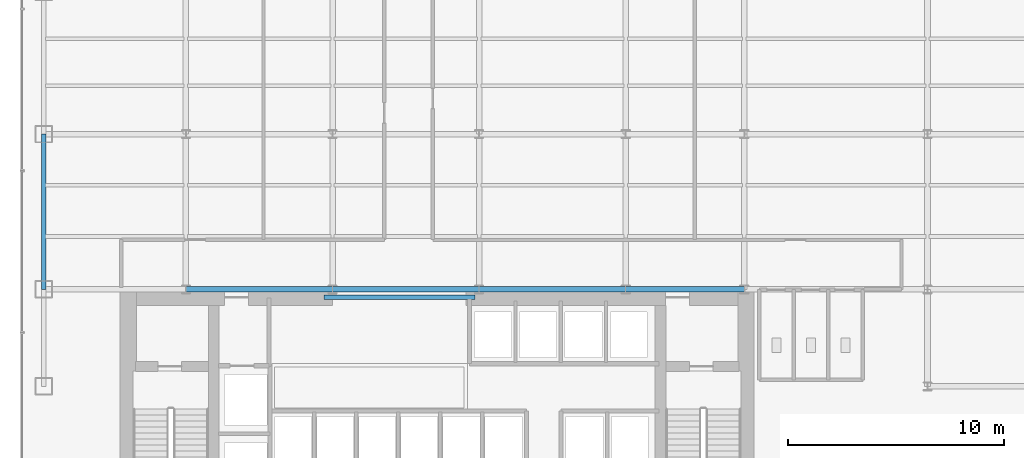
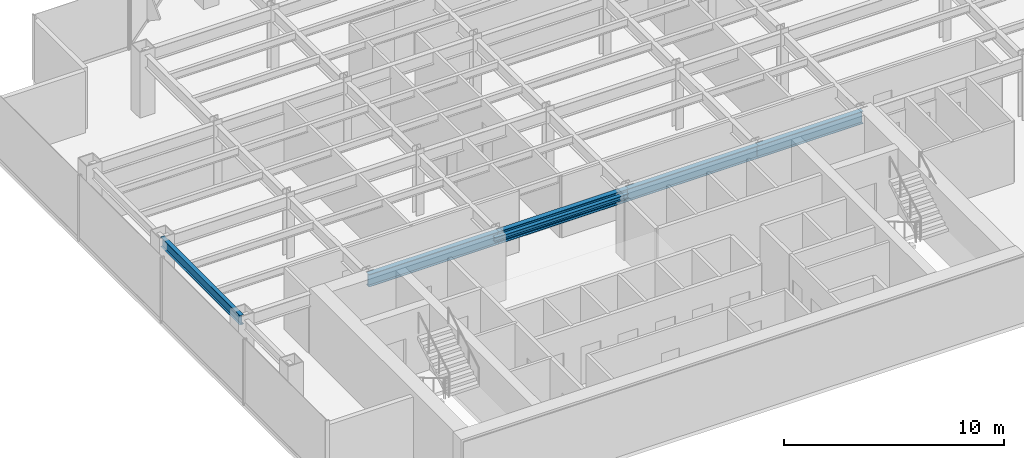
# One storey, part 3 of 26: 6 beams.
"""IFC4 building model written with IfcOpenShell, lengths in metres."""

from ifc_helpers import new_model, si_unit, derived_unit, direction, frame, origin, origin_2d, place, context, subcontext, project, spatial, i_section, extrude, source, transform, mapped, material, material_profile, profile_set, type_object, element, save


model = new_model("IFC4")

# Units and contexts
model_context = context("Model", 3, precision=1e-05, world=origin(), true_north=direction((0.0, 1.0)))
body_context = subcontext(model_context, "Body", "Model", "MODEL_VIEW")
ifc_project = project(units=[si_unit("LENGTHUNIT", "METRE"), si_unit("AREAUNIT", "SQUARE_METRE"), si_unit("VOLUMEUNIT", "CUBIC_METRE"), si_unit("PLANEANGLEUNIT", "RADIAN"), si_unit("MASSUNIT", "GRAM", prefix="KILO"), derived_unit("THERMALTRANSMITTANCEUNIT", [(si_unit("POWERUNIT", "WATT"), 1), (si_unit("LENGTHUNIT", "METRE"), -2), (si_unit("THERMODYNAMICTEMPERATUREUNIT", "KELVIN"), -1)])], contexts=[model_context])

# Site, building, storey
site_placement = place(None, origin())
site = spatial("IfcSite", under=ifc_project, at=site_placement, CompositionType="ELEMENT")
building_placement = place(site_placement, origin())
building = spatial("IfcBuilding", under=site, at=building_placement, Name="Skarnbrae Concourse Arena and Tower", CompositionType="ELEMENT")
storey_placement = place(building_placement, frame((0.0, 0.0, 92.300048828125)))
storey = spatial("IfcBuildingStorey", under=building, at=storey_placement, Name="L22", CompositionType="ELEMENT", Elevation=92.300048828125)

# Beams
ifc_material = material(Name="Steel CSA G40.21 350W", Category="steel")
ifc_material_profile_1 = material_profile(ifc_material, i_section(OverallWidth=0.202880859375, OverallDepth=0.251953125, WebThickness=0.008056640625, FlangeThickness=0.013427734375, at=origin_2d()), Name="W250X58")
ifc_profile_set_1 = profile_set([ifc_material_profile_1], Name="Steel CSA G40.21 350W")
beam_type_1 = type_object("IfcBeamType", Name="BM-LINTEL-W250X58", PredefinedType="LINTEL", material=ifc_profile_set_1)
shared_shape_1 = source(origin(), body_context, "Body", "SweptSolid", [
    extrude(i_section(OverallWidth=0.202880859375, OverallDepth=0.251953125, WebThickness=0.008056640625, FlangeThickness=0.013427734375, at=origin_2d()), origin(), (0.0, 0.0, 1.0), 7.0),
])
beam_1_placement = place(storey_placement, frame((14.0, 13.625, 3.27392578125), z_axis=(1.0, 0.0, 0.0), x_axis=(0.0, 1.0, 0.0)))
element("IfcBeam", 1, at=beam_1_placement, inside=storey, type_object=beam_type_1, Name="L22 Core portal coupling lintel", PredefinedType="LINTEL", context=body_context, shape_type="MappedRepresentation", body=[
    mapped(shared_shape_1, transform((0.0, 0.0, 0.0))),
])
ifc_material_profile_2 = material_profile(ifc_material, i_section(OverallWidth=0.256103515625, OverallDepth=0.693115234375, WebThickness=0.014404296875, FlangeThickness=0.023681640625, at=origin_2d()), Name="W690X170")
ifc_profile_set_2 = profile_set([ifc_material_profile_2], Name="Steel CSA G40.21 350W")
beam_type_2 = type_object("IfcBeamType", Name="BM-GIRD-W690X170", PredefinedType="BEAM", material=ifc_profile_set_2)
shared_shape_2 = source(origin(), body_context, "Body", "SweptSolid", [
    extrude(i_section(OverallWidth=0.256103515625, OverallDepth=0.693115234375, WebThickness=0.014404296875, FlangeThickness=0.023681640625, at=origin_2d()), origin(), (0.0, 0.0, 1.0), 6.7998046875),
])
beam_2_placement = place(storey_placement, frame((7.60009765625, 14.0, 3.053466796875), z_axis=(1.0, 0.0, 0.0), x_axis=(0.0, 1.0, 0.0)))
element("IfcBeam", 2, at=beam_2_placement, inside=storey, type_object=beam_type_2, Name="L22 Primary E-W girder Y14.0-2", PredefinedType="BEAM", context=body_context, shape_type="MappedRepresentation", body=[
    mapped(shared_shape_2, transform((0.0, 0.0, 0.0))),
])
shared_shape_3 = source(origin(), body_context, "Body", "SweptSolid", [
    extrude(i_section(OverallWidth=0.256103515625, OverallDepth=0.693115234375, WebThickness=0.014404296875, FlangeThickness=0.023681640625, at=origin_2d()), origin(), (0.0, 0.0, 1.0), 6.800048828125),
])
for number, where, z_axis, x_axis, name in (
    (3, (14.39990234375, 14.0, 3.053466796875), (1.0, 0.0, 0.0), (0.0, 1.0, 0.0), "L22 Primary E-W girder Y14.0-3"),
    (4, (21.199951171875, 14.0, 3.053466796875), (1.0, 0.0, 0.0), (0.0, 1.0, 0.0), "L22 Primary E-W girder Y14.0-4"),
):
    element("IfcBeam", number, at=place(storey_placement, frame(where, z_axis=z_axis, x_axis=x_axis)), inside=storey, type_object=beam_type_2, Name=name, PredefinedType="BEAM", context=body_context, shape_type="MappedRepresentation", body=[
        mapped(shared_shape_3, transform((0.0, 0.0, 0.0))),
    ])
shared_shape_4 = source(origin(), body_context, "Body", "SweptSolid", [
    extrude(i_section(OverallWidth=0.256103515625, OverallDepth=0.693115234375, WebThickness=0.014404296875, FlangeThickness=0.023681640625, at=origin_2d()), origin(), (0.0, 0.0, 1.0), 5.5),
])
beam_3_placement = place(storey_placement, frame((28.0, 14.0, 3.053466796875), z_axis=(1.0, 0.0, 0.0), x_axis=(0.0, 1.0, 0.0)))
element("IfcBeam", 5, at=beam_3_placement, inside=storey, type_object=beam_type_2, Name="L22 Primary E-W girder Y14.0-5", PredefinedType="BEAM", context=body_context, shape_type="MappedRepresentation", body=[
    mapped(shared_shape_4, transform((0.0, 0.0, 0.0))),
])
ifc_material_profile_3 = material_profile(ifc_material, i_section(OverallWidth=0.208984375, OverallDepth=0.532958984375, WebThickness=0.01025390625, FlangeThickness=0.015625, at=origin_2d()), Name="W530X92")
ifc_profile_set_3 = profile_set([ifc_material_profile_3], Name="Steel CSA G40.21 350W")
beam_type_3 = type_object("IfcBeamType", Name="BM-SPAN-W530X92", PredefinedType="SPANDREL", material=ifc_profile_set_3)
shared_shape_5 = source(origin(), body_context, "Body", "SweptSolid", [
    extrude(i_section(OverallWidth=0.208984375, OverallDepth=0.532958984375, WebThickness=0.01025390625, FlangeThickness=0.015625, at=origin_2d()), origin(), (0.0, 0.0, 1.0), 7.199951171875),
])
beam_4_placement = place(storey_placement, frame((1.0, 14.0, 3.133544921875), z_axis=(0.0, 1.0, 0.0), x_axis=(-1.0, 0.0, 0.0)))
element("IfcBeam", 6, at=beam_4_placement, inside=storey, type_object=beam_type_3, Name="L22 Perimeter spandrel X1.0-2", PredefinedType="SPANDREL", context=body_context, shape_type="MappedRepresentation", body=[
    mapped(shared_shape_5, transform((0.0, 0.0, 0.0))),
])

save(model, "model.ifc")
